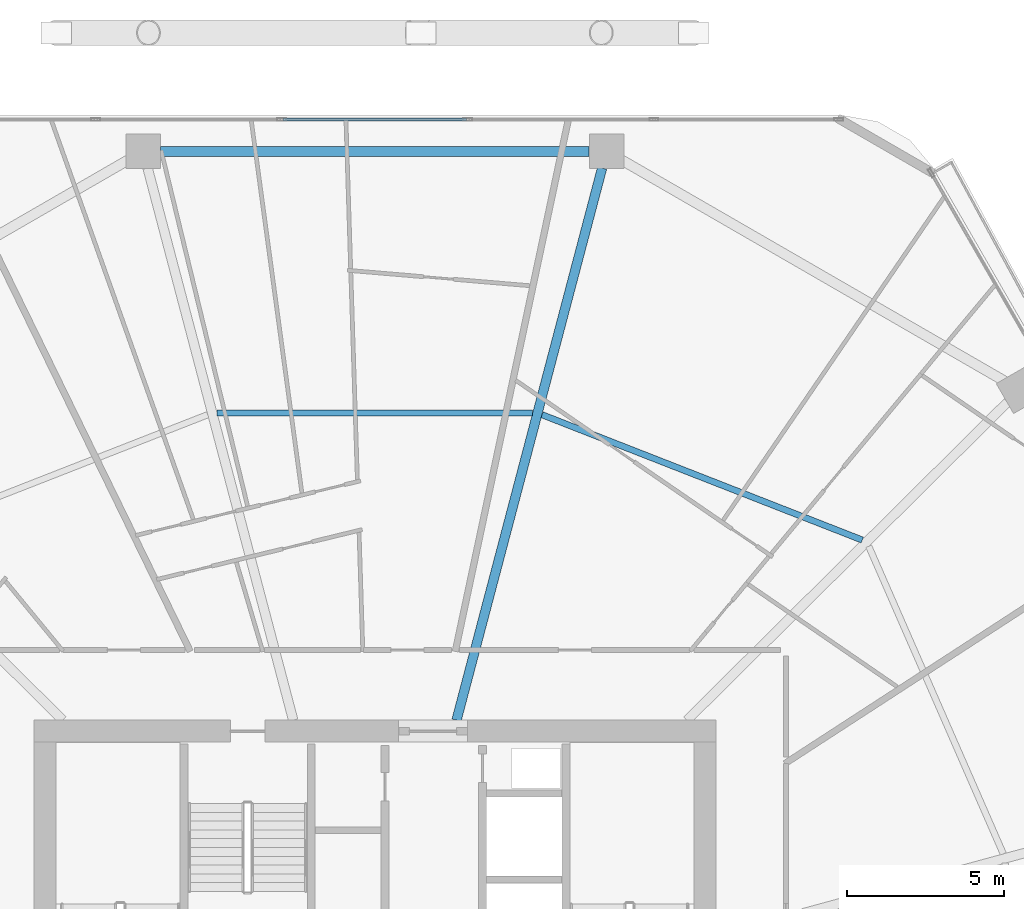
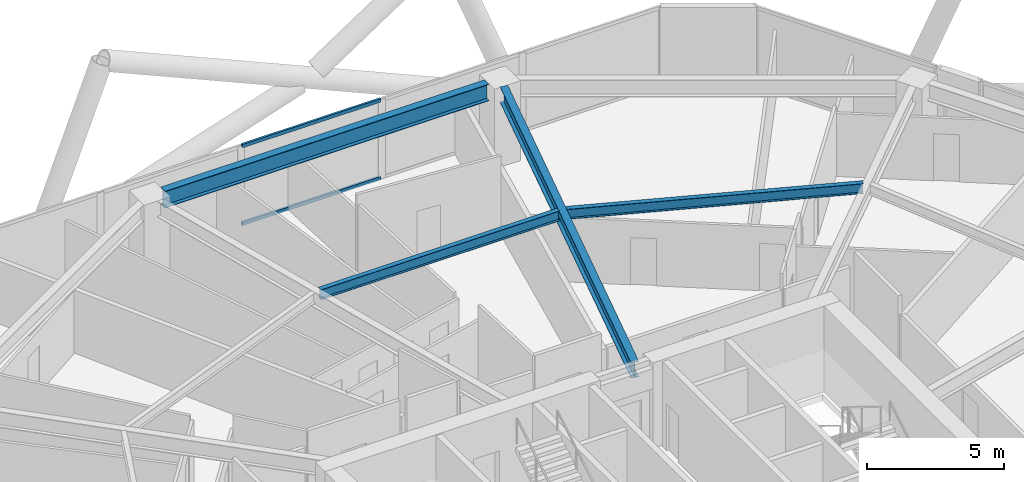
# One storey, part 21 of 35: 4 beams, 2 members, 1 element without a shape of its own.
"""IFC4 building model written with IfcOpenShell, lengths in metres."""

from ifc_helpers import new_model, si_unit, direction, frame, origin, origin_2d, place, context, subcontext, project, spatial, hollow_rectangle, i_section, extrude, material, material_profile, profile_set, type_object, element, aggregate, save


model = new_model("IFC4")

# Units and contexts
model_context = context("Model", 3, precision=1e-05, world=origin(), true_north=direction((0.0, 1.0)))
body_context = subcontext(model_context, "Body", "Model", "MODEL_VIEW")
ifc_project = project(units=[si_unit("LENGTHUNIT", "METRE"), si_unit("AREAUNIT", "SQUARE_METRE"), si_unit("VOLUMEUNIT", "CUBIC_METRE"), si_unit("PLANEANGLEUNIT", "RADIAN"), si_unit("MASSUNIT", "GRAM", prefix="KILO")], contexts=[model_context])

# Site, building, storey
site_placement = place(None, origin())
site = spatial("IfcSite", under=ifc_project, at=site_placement, CompositionType="ELEMENT")
building_placement = place(site_placement, origin())
building = spatial("IfcBuilding", under=site, at=building_placement, Name="Zuhravey Tower", CompositionType="ELEMENT")
storey_placement = place(building_placement, frame((0.0, 0.0, 122.800048828125)))
storey = spatial("IfcBuildingStorey", under=building, at=storey_placement, Name="L30", CompositionType="ELEMENT", Elevation=122.800048828125)

# Curtain wall, members
ifc_material_1 = material(Name="Thermally broken anodised aluminium", Category="aluminium")
curtain_wall_type = type_object("IfcCurtainWallType", Name="Zone 1-2 Residential Curtain Wall CW3", PredefinedType="NOTDEFINED", material=ifc_material_1)
curtain_wall_placement = place(storey_placement, origin())
curtain_wall = element("IfcCurtainWall", 1, at=curtain_wall_placement, inside=storey, type_object=curtain_wall_type, Name="L30 CW3 CW-L30-F2-1", PredefinedType="NOTDEFINED")
ifc_material_2 = material(Name="Anodised aluminium", Category="aluminium")
ifc_material_profile_1 = material_profile(ifc_material_2, hollow_rectangle(XDim=0.090087890625, YDim=0.14990234375, WallThickness=0.0048828125, at=origin_2d()), Name="ALU-RHS-90x150x5")
ifc_profile_set_1 = profile_set([ifc_material_profile_1], Name="Anodised aluminium")
member_type = type_object("IfcMemberType", Name="Curtain-Wall Transom 90x150", PredefinedType="USERDEFINED", material=ifc_profile_set_1)
member_1_placement = place(storey_placement, frame((33.085205078125, 60.95849609375, 0.044921875), z_axis=(1.0, 0.0, 0.0), x_axis=(0.0, 1.0, 0.0)))
member_1 = element("IfcMember", 2, at=member_1_placement, type_object=member_type, Name="CW3 transom 3.1", ObjectType="TRANSOM", PredefinedType="USERDEFINED", context=body_context, shape_type="SweptSolid", body=[
    extrude(hollow_rectangle(XDim=0.090087890625, YDim=0.14990234375, WallThickness=0.0048828125, at=origin_2d()), origin(), (0.0, 0.0, 1.0), 5.82958984375),
])
member_2_placement = place(storey_placement, frame((33.085205078125, 60.95849609375, 3.5048828125), z_axis=(1.0, 0.0, 0.0), x_axis=(0.0, 1.0, 0.0)))
member_2 = element("IfcMember", 3, at=member_2_placement, type_object=member_type, Name="CW3 transom 3.2", ObjectType="TRANSOM", PredefinedType="USERDEFINED", context=body_context, shape_type="SweptSolid", body=[
    extrude(hollow_rectangle(XDim=0.090087890625, YDim=0.14990234375, WallThickness=0.0048828125, at=origin_2d()), origin(), (0.0, 0.0, 1.0), 5.82958984375),
])
aggregate(curtain_wall, [member_1, member_2])

# Beams
ifc_material_3 = material(Name="Steel SM355", Category="steel")
ifc_material_profile_2 = material_profile(ifc_material_3, i_section(OverallWidth=0.320068359375, OverallDepth=0.75, WebThickness=0.013916015625, FlangeThickness=0.02490234375, at=origin_2d()), Name="H-750x320x14x25")
ifc_profile_set_2 = profile_set([ifc_material_profile_2], Name="Steel SM355")
beam_type_1 = type_object("IfcBeamType", Name="Perimeter Ring Beam H750x320", PredefinedType="BEAM", material=ifc_profile_set_2)
beam_1_placement = place(storey_placement, frame((42.81689453125, 59.948486328125, 3.175048828125), z_axis=(-1.0, 0.0, 0.0), x_axis=(0.0, -1.0, 0.0)))
element("IfcBeam", 4, at=beam_1_placement, inside=storey, type_object=beam_type_1, Name="L30 PB1 BM-L30-PB-03", PredefinedType="BEAM", context=body_context, shape_type="SweptSolid", body=[
    extrude(i_section(OverallWidth=0.320068359375, OverallDepth=0.75, WebThickness=0.013916015625, FlangeThickness=0.02490234375, at=origin_2d()), origin(), (0.0, 0.0, 1.0), 13.6337890625),
])
ifc_material_profile_3 = material_profile(ifc_material_3, i_section(OverallWidth=0.300048828125, OverallDepth=0.699951171875, WebThickness=0.012939453125, FlangeThickness=0.02392578125, at=origin_2d()), Name="H-700x300x13x24")
ifc_profile_set_3 = profile_set([ifc_material_profile_3], Name="Steel SM355")
beam_type_2 = type_object("IfcBeamType", Name="Radial Primary Girder H700x300", PredefinedType="BEAM", material=ifc_profile_set_3)
beam_2_placement = place(storey_placement, frame((38.59814453125, 41.85302734375, 3.199951171875), z_axis=(0.25498755891, 0.966944333869, 0.0), x_axis=(-0.966944333869, 0.25498755891, 0.0)))
element("IfcBeam", 5, at=beam_2_placement, inside=storey, type_object=beam_type_2, Name="L30 RG1 BM-L30-RAD-03", PredefinedType="BEAM", context=body_context, shape_type="SweptSolid", body=[
    extrude(i_section(OverallWidth=0.300048828125, OverallDepth=0.699951171875, WebThickness=0.012939453125, FlangeThickness=0.02392578125, at=origin_2d()), origin(), (0.0, 0.0, 1.0), 18.1611328125),
])
ifc_material_profile_4 = material_profile(ifc_material_3, i_section(OverallWidth=0.199951171875, OverallDepth=0.449951171875, WebThickness=0.009033203125, FlangeThickness=0.013916015625, at=origin_2d()), Name="H-450x200x9x14")
ifc_profile_set_4 = profile_set([ifc_material_profile_4], Name="Steel SM355")
beam_type_3 = type_object("IfcBeamType", Name="Secondary Floor Joist H450x200", PredefinedType="JOIST", material=ifc_profile_set_4)
beam_3_placement = place(storey_placement, frame((51.50537109375, 47.581298828125, 3.324951171875), z_axis=(-0.931216764731, 0.364465824302, 0.0), x_axis=(-0.364465824302, -0.931216764731, 0.0)))
element("IfcBeam", 6, at=beam_3_placement, inside=storey, type_object=beam_type_3, Name="L30 SJ1 BM-L30-SJ-02-1", PredefinedType="JOIST", context=body_context, shape_type="SweptSolid", body=[
    extrude(i_section(OverallWidth=0.199951171875, OverallDepth=0.449951171875, WebThickness=0.009033203125, FlangeThickness=0.013916015625, at=origin_2d()), origin(), (0.0, 0.0, 1.0), 10.939453125),
])
beam_4_placement = place(storey_placement, frame((41.02099609375, 51.62451171875, 3.324951171875), z_axis=(-1.0, 0.0, 0.0), x_axis=(0.0, -1.0, 0.0)))
element("IfcBeam", 7, at=beam_4_placement, inside=storey, type_object=beam_type_3, Name="L30 SJ1 BM-L30-SJ-03-1", PredefinedType="JOIST", context=body_context, shape_type="SweptSolid", body=[
    extrude(i_section(OverallWidth=0.199951171875, OverallDepth=0.449951171875, WebThickness=0.009033203125, FlangeThickness=0.013916015625, at=origin_2d()), origin(), (0.0, 0.0, 1.0), 10.0419921875),
])

save(model, "model.ifc")
